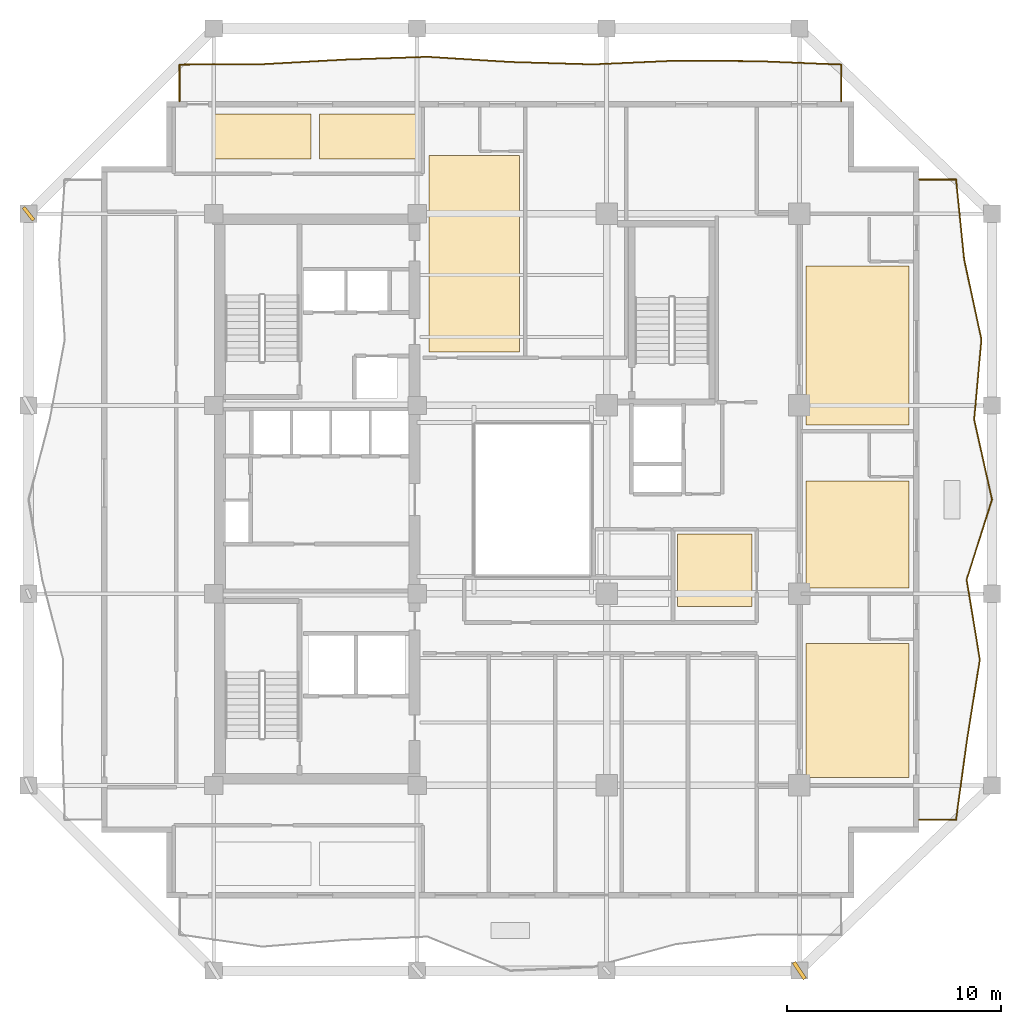
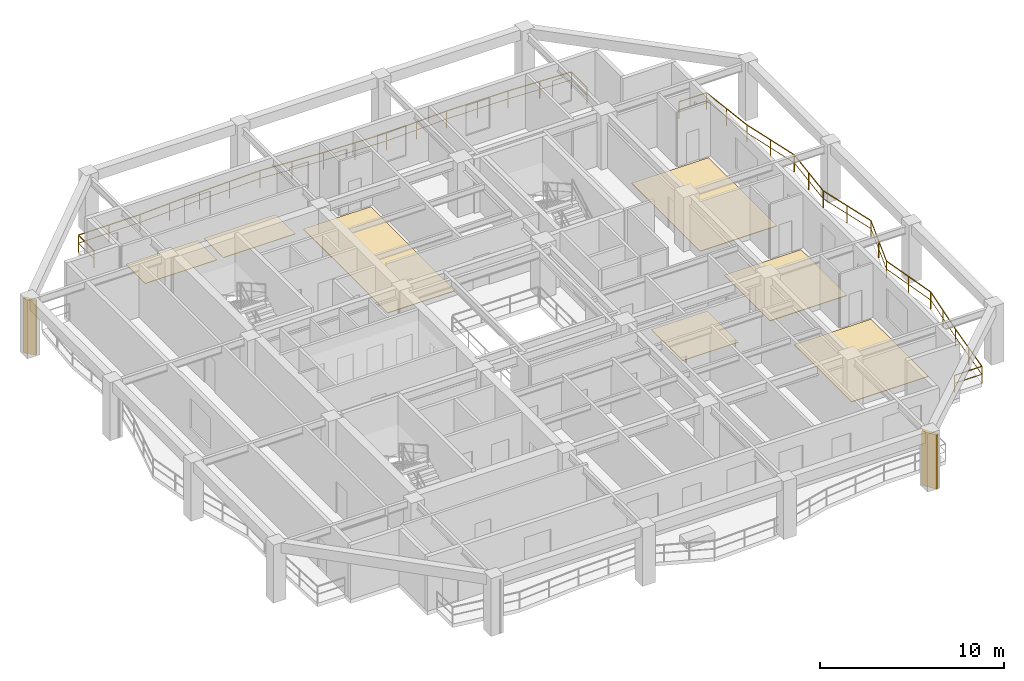
# One storey, part 9 of 10: 7 coverings, 2 railings, 2 shading devices.
"""IFC4 building model written with IfcOpenShell, lengths in metres."""

from ifc_helpers import new_model, si_unit, direction, frame, origin, origin_2d, place, context, subcontext, project, spatial, polyline, rectangle, outline, extrude, material, layer, layer_set, type_object, element, save


model = new_model("IFC4")

# Units and contexts
model_context = context("Model", 3, precision=1e-05, world=origin(), true_north=direction((0.0, 1.0)))
body_context = subcontext(model_context, "Body", "Model", "MODEL_VIEW")
ifc_project = project(units=[si_unit("LENGTHUNIT", "METRE"), si_unit("AREAUNIT", "SQUARE_METRE"), si_unit("VOLUMEUNIT", "CUBIC_METRE"), si_unit("PLANEANGLEUNIT", "RADIAN"), si_unit("MASSUNIT", "GRAM", prefix="KILO")], contexts=[model_context])

# Site, building, storey
site_placement = place(None, origin())
site = spatial("IfcSite", under=ifc_project, at=site_placement, CompositionType="ELEMENT")
building_placement = place(site_placement, origin())
building = spatial("IfcBuilding", under=site, at=building_placement, Name="Kundavana Baori Tower", CompositionType="ELEMENT")
storey_placement = place(building_placement, frame((0.0, 0.0, 138.64990234375)))
storey = spatial("IfcBuildingStorey", under=building, at=storey_placement, Name="L33", CompositionType="ELEMENT", Elevation=138.64990234375)

# Coverings
ifc_material_1 = material(Name="Honed Kota Stone and Terrazzo Flooring", Category="masonry")
ifc_layer_1 = layer(ifc_material_1, 0.0400390625, Name="COV-FLR-TERR-40")
ifc_layer_set_1 = layer_set([ifc_layer_1], Name="Honed Kota Stone and Terrazzo Flooring")
covering_type_1 = type_object("IfcCoveringType", Name="COV-FLR-TERR-40", PredefinedType="FLOORING", material=ifc_layer_set_1)
covering_1_placement = place(storey_placement, origin())
element("IfcCovering", 1, at=covering_1_placement, inside=storey, type_object=covering_type_1, Name="L33 Room Finished Stone Flooring 1", PredefinedType="FLOORING", context=body_context, shape_type="SweptSolid", body=[
    extrude(outline(polyline([(43.10009765625, 15.6298828125), (47.919921875, 15.6298828125), (47.919921875, 21.8701171875), (43.10009765625, 21.8701171875), (43.10009765625, 15.6298828125)])), origin(), (0.0, 0.0, 1.0), 0.0400390625),
])
covering_2_placement = place(storey_placement, origin())
element("IfcCovering", 2, at=covering_2_placement, inside=storey, type_object=covering_type_1, Name="L33 Room Finished Stone Flooring 2", PredefinedType="FLOORING", context=body_context, shape_type="SweptSolid", body=[
    extrude(outline(polyline([(43.10009765625, 24.47998046875), (47.919921875, 24.47998046875), (47.919921875, 29.469970703125), (43.10009765625, 29.469970703125), (43.10009765625, 24.47998046875)])), origin(), (0.0, 0.0, 1.0), 0.0400390625),
])
covering_3_placement = place(storey_placement, origin())
element("IfcCovering", 3, at=covering_3_placement, inside=storey, type_object=covering_type_1, Name="L33 Room Finished Stone Flooring 3", PredefinedType="FLOORING", context=body_context, shape_type="SweptSolid", body=[
    extrude(outline(polyline([(43.10009765625, 32.080078125), (47.919921875, 32.080078125), (47.919921875, 39.52001953125), (43.10009765625, 39.52001953125), (43.10009765625, 32.080078125)])), origin(), (0.0, 0.0, 1.0), 0.0400390625),
])
covering_4_placement = place(storey_placement, origin())
element("IfcCovering", 4, at=covering_4_placement, inside=storey, type_object=covering_type_1, Name="L33 Room Finished Stone Flooring 4", PredefinedType="FLOORING", context=body_context, shape_type="SweptSolid", body=[
    extrude(outline(polyline([(25.5, 35.5), (29.719970703125, 35.5), (29.719970703125, 44.669921875), (25.5, 44.669921875), (25.5, 35.5)])), origin(), (0.0, 0.0, 1.0), 0.0400390625),
])
ifc_material_2 = material(Name="Honed Kota Stone and Terrazzo Flooring", Category="masonry")
ifc_layer_2 = layer(ifc_material_2, 0.030029296875, Name="COV-INT-FLR")
ifc_layer_set_2 = layer_set([ifc_layer_2], Name="Honed Kota Stone and Terrazzo Flooring")
covering_type_2 = type_object("IfcCoveringType", Name="COV-INT-FLR", PredefinedType="FLOORING", material=ifc_layer_set_2)
covering_5_placement = place(storey_placement, origin())
element("IfcCovering", 5, at=covering_5_placement, inside=storey, type_object=covering_type_2, Name="L33 Room Finished Stone Flooring 7", PredefinedType="FLOORING", context=body_context, shape_type="SweptSolid", body=[
    extrude(outline(polyline([(15.5, 44.5), (20.0, 44.5), (20.0, 46.6201171875), (15.5, 46.6201171875), (15.5, 44.5)])), origin(), (0.0, 0.0, 1.0), 0.030029296875),
])
covering_6_placement = place(storey_placement, origin())
element("IfcCovering", 6, at=covering_6_placement, inside=storey, type_object=covering_type_2, Name="L33 Room Finished Stone Flooring 8", PredefinedType="FLOORING", context=body_context, shape_type="SweptSolid", body=[
    extrude(outline(polyline([(20.39990234375, 44.5), (24.89990234375, 44.5), (24.89990234375, 46.6201171875), (20.39990234375, 46.6201171875), (20.39990234375, 44.5)])), origin(), (0.0, 0.0, 1.0), 0.030029296875),
])
covering_7_placement = place(storey_placement, origin())
element("IfcCovering", 7, at=covering_7_placement, inside=storey, type_object=covering_type_2, Name="L33 Room Finished Stone Flooring 10", PredefinedType="FLOORING", context=body_context, shape_type="SweptSolid", body=[
    extrude(outline(polyline([(37.10009765625, 23.60009765625), (40.60009765625, 23.60009765625), (40.60009765625, 27.0), (37.10009765625, 27.0), (37.10009765625, 23.60009765625)])), origin(), (0.0, 0.0, 1.0), 0.030029296875),
])

# Railings
ifc_material_3 = material(Name="Architectural Patinated Bronze Metalwork")
railing_type = type_object("IfcRailingType", Name="RL-BAL-1150", PredefinedType="BALUSTRADE", material=ifc_material_3)
railing_1_placement = place(storey_placement, frame((48.39990234375, 43.550048828125, 0.0)))
element("IfcRailing", 8, at=railing_1_placement, inside=storey, type_object=railing_type, Name="L33 Loggia Balcony Balustrade E", PredefinedType="BALUSTRADE", context=body_context, shape_type="SweptSolid", body=[
    extrude(rectangle(XDim=0.048095703125, YDim=0.048095703125, at=origin_2d()), frame((0.0, 0.0, 1.1259765625), z_axis=(1.0, 0.0, 0.0), x_axis=(0.0, 1.0, 0.0)), (0.0, 0.0, 1.0), 1.72021484375),
    extrude(rectangle(XDim=0.03125, YDim=0.03125, at=origin_2d()), frame((0.0, 0.0, 0.597900390625), z_axis=(1.0, 0.0, 0.0), x_axis=(0.0, 1.0, 0.0)), (0.0, 0.0, 1.0), 1.72021484375),
    extrude(rectangle(XDim=0.048095703125, YDim=0.048095703125, at=origin_2d()), frame((1.72021484375, 0.0, 1.1259765625), z_axis=(0.101362763311, -0.994849531444, 0.0), x_axis=(0.994849531444, 0.101362763311, 0.0)), (0.0, 0.0, 1.0), 3.75732421875),
    extrude(rectangle(XDim=0.03125, YDim=0.03125, at=origin_2d()), frame((1.72021484375, 0.0, 0.597900390625), z_axis=(0.101362763311, -0.994849531444, 0.0), x_axis=(0.994849531444, 0.101362763311, 0.0)), (0.0, 0.0, 1.0), 3.75732421875),
    extrude(rectangle(XDim=0.048095703125, YDim=0.048095703125, at=origin_2d()), frame((2.10107421875, -3.738037109375, 1.1259765625), z_axis=(0.210806762547, -0.977527753501, 0.0), x_axis=(0.977527753501, 0.210806762547, 0.0)), (0.0, 0.0, 1.0), 3.822998046875),
    extrude(rectangle(XDim=0.03125, YDim=0.03125, at=origin_2d()), frame((2.10107421875, -3.738037109375, 0.597900390625), z_axis=(0.210806762547, -0.977527753501, 0.0), x_axis=(0.977527753501, 0.210806762547, 0.0)), (0.0, 0.0, 1.0), 3.822998046875),
    extrude(rectangle(XDim=0.048095703125, YDim=0.048095703125, at=origin_2d()), frame((2.906982421875, -7.47509765625, 1.1259765625), z_axis=(-0.090541610687, -0.995892673301, 0.0), x_axis=(0.995892673301, -0.090541610687, 0.0)), (0.0, 0.0, 1.0), 3.75341796875),
    extrude(rectangle(XDim=0.03125, YDim=0.03125, at=origin_2d()), frame((2.906982421875, -7.47509765625, 0.597900390625), z_axis=(-0.090541610687, -0.995892673301, 0.0), x_axis=(0.995892673301, -0.090541610687, 0.0)), (0.0, 0.0, 1.0), 3.75341796875),
    extrude(rectangle(XDim=0.048095703125, YDim=0.048095703125, at=origin_2d()), frame((2.567138671875, -11.213134765625, 1.1259765625), z_axis=(0.217578599466, -0.97604280288, 0.0), x_axis=(0.97604280288, 0.217578599466, 0.0)), (0.0, 0.0, 1.0), 3.82861328125),
    extrude(rectangle(XDim=0.03125, YDim=0.03125, at=origin_2d()), frame((2.567138671875, -11.213134765625, 0.597900390625), z_axis=(0.217578599466, -0.97604280288, 0.0), x_axis=(0.97604280288, 0.217578599466, 0.0)), (0.0, 0.0, 1.0), 3.82861328125),
    extrude(rectangle(XDim=0.048095703125, YDim=0.048095703125, at=origin_2d()), frame((3.400146484375, -14.949951171875, 1.1259765625), z_axis=(-0.30197752983, -0.95331504314, 0.0), x_axis=(0.95331504314, -0.30197752983, 0.0)), (0.0, 0.0, 1.0), 3.921142578125),
    extrude(rectangle(XDim=0.03125, YDim=0.03125, at=origin_2d()), frame((3.400146484375, -14.949951171875, 0.597900390625), z_axis=(-0.30197752983, -0.95331504314, 0.0), x_axis=(0.95331504314, -0.30197752983, 0.0)), (0.0, 0.0, 1.0), 3.921142578125),
    extrude(rectangle(XDim=0.048095703125, YDim=0.048095703125, at=origin_2d()), frame((2.216064453125, -18.68798828125, 1.1259765625), z_axis=(0.162883179532, -0.986645361731, 0.0), x_axis=(0.986645361731, 0.162883179532, 0.0)), (0.0, 0.0, 1.0), 3.78759765625),
    extrude(rectangle(XDim=0.03125, YDim=0.03125, at=origin_2d()), frame((2.216064453125, -18.68798828125, 0.597900390625), z_axis=(0.162883179532, -0.986645361731, 0.0), x_axis=(0.986645361731, 0.162883179532, 0.0)), (0.0, 0.0, 1.0), 3.78759765625),
    extrude(rectangle(XDim=0.048095703125, YDim=0.048095703125, at=origin_2d()), frame((2.8330078125, -22.425048828125, 1.1259765625), z_axis=(-0.157942709893, -0.987448277325, 0.0), x_axis=(0.987448277325, -0.157942709893, 0.0)), (0.0, 0.0, 1.0), 3.78564453125),
    extrude(rectangle(XDim=0.03125, YDim=0.03125, at=origin_2d()), frame((2.8330078125, -22.425048828125, 0.597900390625), z_axis=(-0.157942709893, -0.987448277325, 0.0), x_axis=(0.987448277325, -0.157942709893, 0.0)), (0.0, 0.0, 1.0), 3.78564453125),
    extrude(rectangle(XDim=0.048095703125, YDim=0.048095703125, at=origin_2d()), frame((2.235107421875, -26.1630859375, 1.1259765625), z_axis=(-0.136490665829, -0.990641356971, 0.0), x_axis=(0.990641356971, -0.136490665829, 0.0)), (0.0, 0.0, 1.0), 3.7724609375),
    extrude(rectangle(XDim=0.03125, YDim=0.03125, at=origin_2d()), frame((2.235107421875, -26.1630859375, 0.597900390625), z_axis=(-0.136490665829, -0.990641356971, 0.0), x_axis=(0.990641356971, -0.136490665829, 0.0)), (0.0, 0.0, 1.0), 3.7724609375),
    extrude(rectangle(XDim=0.048095703125, YDim=0.048095703125, at=origin_2d()), frame((1.72021484375, -29.900146484375, 1.1259765625), z_axis=(-1.0, 0.0, 0.0), x_axis=(0.0, -1.0, 0.0)), (0.0, 0.0, 1.0), 1.72021484375),
    extrude(rectangle(XDim=0.03125, YDim=0.03125, at=origin_2d()), frame((1.72021484375, -29.900146484375, 0.597900390625), z_axis=(-1.0, 0.0, 0.0), x_axis=(0.0, -1.0, 0.0)), (0.0, 0.0, 1.0), 1.72021484375),
    extrude(rectangle(XDim=0.0419921875, YDim=0.0419921875, at=origin_2d()), origin(), (0.0, 0.0, 1.0), 1.101806640625),
    extrude(rectangle(XDim=0.0419921875, YDim=0.0419921875, at=origin_2d()), frame((1.72021484375, 0.0, 0.0)), (0.0, 0.0, 1.0), 1.101806640625),
    extrude(rectangle(XDim=0.0419921875, YDim=0.0419921875, at=origin_2d()), frame((1.91064453125, -1.869140625, 0.0)), (0.0, 0.0, 1.0), 1.101806640625),
    extrude(rectangle(XDim=0.0419921875, YDim=0.0419921875, at=origin_2d()), frame((2.10107421875, -3.738037109375, 0.0)), (0.0, 0.0, 1.0), 1.101806640625),
    extrude(rectangle(XDim=0.0419921875, YDim=0.0419921875, at=origin_2d()), frame((2.50390625, -5.6064453125, 0.0)), (0.0, 0.0, 1.0), 1.101806640625),
    extrude(rectangle(XDim=0.0419921875, YDim=0.0419921875, at=origin_2d()), frame((2.906982421875, -7.47509765625, 0.0)), (0.0, 0.0, 1.0), 1.101806640625),
    extrude(rectangle(XDim=0.0419921875, YDim=0.0419921875, at=origin_2d()), frame((2.737060546875, -9.34423828125, 0.0)), (0.0, 0.0, 1.0), 1.101806640625),
    extrude(rectangle(XDim=0.0419921875, YDim=0.0419921875, at=origin_2d()), frame((2.567138671875, -11.213134765625, 0.0)), (0.0, 0.0, 1.0), 1.101806640625),
    extrude(rectangle(XDim=0.0419921875, YDim=0.0419921875, at=origin_2d()), frame((2.983642578125, -13.08154296875, 0.0)), (0.0, 0.0, 1.0), 1.101806640625),
    extrude(rectangle(XDim=0.0419921875, YDim=0.0419921875, at=origin_2d()), frame((3.400146484375, -14.949951171875, 0.0)), (0.0, 0.0, 1.0), 1.101806640625),
    extrude(rectangle(XDim=0.0419921875, YDim=0.0419921875, at=origin_2d()), frame((2.80810546875, -16.81884765625, 0.0)), (0.0, 0.0, 1.0), 1.101806640625),
    extrude(rectangle(XDim=0.0419921875, YDim=0.0419921875, at=origin_2d()), frame((2.216064453125, -18.68798828125, 0.0)), (0.0, 0.0, 1.0), 1.101806640625),
    extrude(rectangle(XDim=0.0419921875, YDim=0.0419921875, at=origin_2d()), frame((2.5244140625, -20.556640625, 0.0)), (0.0, 0.0, 1.0), 1.101806640625),
    extrude(rectangle(XDim=0.0419921875, YDim=0.0419921875, at=origin_2d()), frame((2.8330078125, -22.425048828125, 0.0)), (0.0, 0.0, 1.0), 1.101806640625),
    extrude(rectangle(XDim=0.0419921875, YDim=0.0419921875, at=origin_2d()), frame((2.5341796875, -24.2939453125, 0.0)), (0.0, 0.0, 1.0), 1.101806640625),
    extrude(rectangle(XDim=0.0419921875, YDim=0.0419921875, at=origin_2d()), frame((2.235107421875, -26.1630859375, 0.0)), (0.0, 0.0, 1.0), 1.101806640625),
    extrude(rectangle(XDim=0.0419921875, YDim=0.0419921875, at=origin_2d()), frame((1.9775390625, -28.03173828125, 0.0)), (0.0, 0.0, 1.0), 1.101806640625),
    extrude(rectangle(XDim=0.0419921875, YDim=0.0419921875, at=origin_2d()), frame((1.72021484375, -29.900146484375, 0.0)), (0.0, 0.0, 1.0), 1.101806640625),
    extrude(rectangle(XDim=0.0419921875, YDim=0.0419921875, at=origin_2d()), frame((0.0, -29.900146484375, 0.0)), (0.0, 0.0, 1.0), 1.101806640625),
])
railing_2_placement = place(storey_placement, frame((13.85009765625, 47.199951171875, 0.0)))
element("IfcRailing", 9, at=railing_2_placement, inside=storey, type_object=railing_type, Name="L33 Loggia Balcony Balustrade N", PredefinedType="BALUSTRADE", context=body_context, shape_type="SweptSolid", body=[
    extrude(rectangle(XDim=0.048095703125, YDim=0.048095703125, at=origin_2d()), frame((0.0, 0.0, 1.1259765625), z_axis=(0.0, 1.0, 0.0), x_axis=(-1.0, 0.0, 0.0)), (0.0, 0.0, 1.0), 1.719970703125),
    extrude(rectangle(XDim=0.03125, YDim=0.03125, at=origin_2d()), frame((0.0, 0.0, 0.597900390625), z_axis=(0.0, 1.0, 0.0), x_axis=(-1.0, 0.0, 0.0)), (0.0, 0.0, 1.0), 1.719970703125),
    extrude(rectangle(XDim=0.048095703125, YDim=0.048095703125, at=origin_2d()), frame((0.0, 1.719970703125, 1.1259765625), z_axis=(0.999987842392, 0.004931031212, 0.0), x_axis=(-0.004931031212, 0.999987842392, 0.0)), (0.0, 0.0, 1.0), 3.86181640625),
    extrude(rectangle(XDim=0.03125, YDim=0.03125, at=origin_2d()), frame((0.0, 1.719970703125, 0.597900390625), z_axis=(0.999987842392, 0.004931031212, 0.0), x_axis=(-0.004931031212, 0.999987842392, 0.0)), (0.0, 0.0, 1.0), 3.86181640625),
    extrude(rectangle(XDim=0.048095703125, YDim=0.048095703125, at=origin_2d()), frame((3.86181640625, 1.739013671875, 1.1259765625), z_axis=(0.998467528785, 0.055340708004, 0.0), x_axis=(-0.055340708004, 0.998467528785, 0.0)), (0.0, 0.0, 1.0), 3.868896484375),
    extrude(rectangle(XDim=0.03125, YDim=0.03125, at=origin_2d()), frame((3.86181640625, 1.739013671875, 0.597900390625), z_axis=(0.998467528785, 0.055340708004, 0.0), x_axis=(-0.055340708004, 0.998467528785, 0.0)), (0.0, 0.0, 1.0), 3.868896484375),
    extrude(rectangle(XDim=0.048095703125, YDim=0.048095703125, at=origin_2d()), frame((7.724853515625, 1.953125, 1.1259765625), z_axis=(0.999435261238, 0.033602955127, 0.0), x_axis=(-0.033602955127, 0.999435261238, 0.0)), (0.0, 0.0, 1.0), 3.865234375),
    extrude(rectangle(XDim=0.03125, YDim=0.03125, at=origin_2d()), frame((7.724853515625, 1.953125, 0.597900390625), z_axis=(0.999435261238, 0.033602955127, 0.0), x_axis=(-0.033602955127, 0.999435261238, 0.0)), (0.0, 0.0, 1.0), 3.865234375),
    extrude(rectangle(XDim=0.048095703125, YDim=0.048095703125, at=origin_2d()), frame((11.587890625, 2.0830078125, 1.1259765625), z_axis=(0.998090445821, -0.061769425783, 0.0), x_axis=(0.061769425783, 0.998090445821, 0.0)), (0.0, 0.0, 1.0), 3.869384765625),
    extrude(rectangle(XDim=0.03125, YDim=0.03125, at=origin_2d()), frame((11.587890625, 2.0830078125, 0.597900390625), z_axis=(0.998090445821, -0.061769425783, 0.0), x_axis=(0.061769425783, 0.998090445821, 0.0)), (0.0, 0.0, 1.0), 3.869384765625),
    extrude(rectangle(XDim=0.048095703125, YDim=0.048095703125, at=origin_2d()), frame((15.449951171875, 1.843994140625, 1.1259765625), z_axis=(0.999564746277, -0.029501152532, 0.0), x_axis=(0.029501152532, 0.999564746277, 0.0)), (0.0, 0.0, 1.0), 3.86474609375),
    extrude(rectangle(XDim=0.03125, YDim=0.03125, at=origin_2d()), frame((15.449951171875, 1.843994140625, 0.597900390625), z_axis=(0.999564746277, -0.029501152532, 0.0), x_axis=(0.029501152532, 0.999564746277, 0.0)), (0.0, 0.0, 1.0), 3.86474609375),
    extrude(rectangle(XDim=0.048095703125, YDim=0.048095703125, at=origin_2d()), frame((19.31298828125, 1.72998046875, 1.1259765625), z_axis=(0.998985657213, 0.045029509015, 0.0), x_axis=(-0.045029509015, 0.998985657213, 0.0)), (0.0, 0.0, 1.0), 3.86572265625),
    extrude(rectangle(XDim=0.03125, YDim=0.03125, at=origin_2d()), frame((19.31298828125, 1.72998046875, 0.597900390625), z_axis=(0.998985657213, 0.045029509015, 0.0), x_axis=(-0.045029509015, 0.998985657213, 0.0)), (0.0, 0.0, 1.0), 3.86572265625),
    extrude(rectangle(XDim=0.048095703125, YDim=0.048095703125, at=origin_2d()), frame((23.1748046875, 1.904052734375, 1.1259765625), z_axis=(0.999980811033, -0.006194962986, 0.0), x_axis=(0.006194962986, 0.999980811033, 0.0)), (0.0, 0.0, 1.0), 3.862060546875),
    extrude(rectangle(XDim=0.03125, YDim=0.03125, at=origin_2d()), frame((23.1748046875, 1.904052734375, 0.597900390625), z_axis=(0.999980811033, -0.006194962986, 0.0), x_axis=(0.006194962986, 0.999980811033, 0.0)), (0.0, 0.0, 1.0), 3.862060546875),
    extrude(rectangle(XDim=0.048095703125, YDim=0.048095703125, at=origin_2d()), frame((27.036865234375, 1.880126953125, 1.1259765625), z_axis=(0.999141697036, -0.041423052092, 0.0), x_axis=(0.041423052092, 0.999141697036, 0.0)), (0.0, 0.0, 1.0), 3.866455078125),
    extrude(rectangle(XDim=0.03125, YDim=0.03125, at=origin_2d()), frame((27.036865234375, 1.880126953125, 0.597900390625), z_axis=(0.999141697036, -0.041423052092, 0.0), x_axis=(0.041423052092, 0.999141697036, 0.0)), (0.0, 0.0, 1.0), 3.866455078125),
    extrude(rectangle(XDim=0.048095703125, YDim=0.048095703125, at=origin_2d()), frame((30.89990234375, 1.719970703125, 1.1259765625), z_axis=(0.0, -1.0, 0.0), x_axis=(1.0, 0.0, 0.0)), (0.0, 0.0, 1.0), 1.719970703125),
    extrude(rectangle(XDim=0.03125, YDim=0.03125, at=origin_2d()), frame((30.89990234375, 1.719970703125, 0.597900390625), z_axis=(0.0, -1.0, 0.0), x_axis=(1.0, 0.0, 0.0)), (0.0, 0.0, 1.0), 1.719970703125),
    extrude(rectangle(XDim=0.0419921875, YDim=0.0419921875, at=origin_2d()), origin(), (0.0, 0.0, 1.0), 1.101806640625),
    extrude(rectangle(XDim=0.0419921875, YDim=0.0419921875, at=origin_2d()), frame((0.0, 1.719970703125, 0.0)), (0.0, 0.0, 1.0), 1.101806640625),
    extrude(rectangle(XDim=0.0419921875, YDim=0.0419921875, at=origin_2d()), frame((1.930908203125, 1.7294921875, 0.0)), (0.0, 0.0, 1.0), 1.101806640625),
    extrude(rectangle(XDim=0.0419921875, YDim=0.0419921875, at=origin_2d()), frame((3.86181640625, 1.739013671875, 0.0)), (0.0, 0.0, 1.0), 1.101806640625),
    extrude(rectangle(XDim=0.0419921875, YDim=0.0419921875, at=origin_2d()), frame((5.79345703125, 1.84619140625, 0.0)), (0.0, 0.0, 1.0), 1.101806640625),
    extrude(rectangle(XDim=0.0419921875, YDim=0.0419921875, at=origin_2d()), frame((7.724853515625, 1.953125, 0.0)), (0.0, 0.0, 1.0), 1.101806640625),
    extrude(rectangle(XDim=0.0419921875, YDim=0.0419921875, at=origin_2d()), frame((9.65625, 2.01806640625, 0.0)), (0.0, 0.0, 1.0), 1.101806640625),
    extrude(rectangle(XDim=0.0419921875, YDim=0.0419921875, at=origin_2d()), frame((11.587890625, 2.0830078125, 0.0)), (0.0, 0.0, 1.0), 1.101806640625),
    extrude(rectangle(XDim=0.0419921875, YDim=0.0419921875, at=origin_2d()), frame((13.51904296875, 1.96337890625, 0.0)), (0.0, 0.0, 1.0), 1.101806640625),
    extrude(rectangle(XDim=0.0419921875, YDim=0.0419921875, at=origin_2d()), frame((15.449951171875, 1.843994140625, 0.0)), (0.0, 0.0, 1.0), 1.101806640625),
    extrude(rectangle(XDim=0.0419921875, YDim=0.0419921875, at=origin_2d()), frame((17.38134765625, 1.787109375, 0.0)), (0.0, 0.0, 1.0), 1.101806640625),
    extrude(rectangle(XDim=0.0419921875, YDim=0.0419921875, at=origin_2d()), frame((19.31298828125, 1.72998046875, 0.0)), (0.0, 0.0, 1.0), 1.101806640625),
    extrude(rectangle(XDim=0.0419921875, YDim=0.0419921875, at=origin_2d()), frame((21.243896484375, 1.81689453125, 0.0)), (0.0, 0.0, 1.0), 1.101806640625),
    extrude(rectangle(XDim=0.0419921875, YDim=0.0419921875, at=origin_2d()), frame((23.1748046875, 1.904052734375, 0.0)), (0.0, 0.0, 1.0), 1.101806640625),
    extrude(rectangle(XDim=0.0419921875, YDim=0.0419921875, at=origin_2d()), frame((25.10595703125, 1.89208984375, 0.0)), (0.0, 0.0, 1.0), 1.101806640625),
    extrude(rectangle(XDim=0.0419921875, YDim=0.0419921875, at=origin_2d()), frame((27.036865234375, 1.880126953125, 0.0)), (0.0, 0.0, 1.0), 1.101806640625),
    extrude(rectangle(XDim=0.0419921875, YDim=0.0419921875, at=origin_2d()), frame((28.96826171875, 1.800048828125, 0.0)), (0.0, 0.0, 1.0), 1.101806640625),
    extrude(rectangle(XDim=0.0419921875, YDim=0.0419921875, at=origin_2d()), frame((30.89990234375, 1.719970703125, 0.0)), (0.0, 0.0, 1.0), 1.101806640625),
    extrude(rectangle(XDim=0.0419921875, YDim=0.0419921875, at=origin_2d()), frame((30.89990234375, 0.0, 0.0)), (0.0, 0.0, 1.0), 1.101806640625),
])

# Shading devices
ifc_material_4 = material(Name="Red-Buff Dholpur Sandstone Cladding on Concrete C40/50", Category="masonry")
shading_device_type_1 = type_object("IfcShadingDeviceType", Name="SHD-FIN-750", PredefinedType="JALOUSIE", material=ifc_material_4)
shading_device_1_placement = place(storey_placement, frame((6.800048828125, 41.949951171875, 0.0), z_axis=(0.0, 0.0, 1.0), x_axis=(0.783151105291, 0.621831445234, 0.0)))
element("IfcShadingDevice", 10, at=shading_device_1_placement, inside=storey, type_object=shading_device_type_1, Name="L33 Sweeping Dholpur Sandstone Facade Fin 8", PredefinedType="JALOUSIE", context=body_context, shape_type="SweptSolid", body=[
    extrude(rectangle(XDim=0.159912109375, YDim=0.75, at=origin_2d()), origin(), (0.0, 0.0, 1.0), 3.60009765625),
])
ifc_material_5 = material(Name="Red-Buff Dholpur Sandstone Cladding on Concrete C40/50", Category="masonry")
shading_device_type_2 = type_object("IfcShadingDeviceType", Name="SHD-FIN-920", PredefinedType="JALOUSIE", material=ifc_material_5)
shading_device_2_placement = place(storey_placement, frame((42.800048828125, 6.60009765625, 0.0), z_axis=(0.0, 0.0, 1.0), x_axis=(0.833210881659, 0.552955356864, 0.0)))
element("IfcShadingDevice", 11, at=shading_device_2_placement, inside=storey, type_object=shading_device_type_2, Name="L33 Sweeping Dholpur Sandstone Facade Fin 4", PredefinedType="JALOUSIE", context=body_context, shape_type="SweptSolid", body=[
    extrude(rectangle(XDim=0.179931640625, YDim=0.919921875, at=origin_2d()), origin(), (0.0, 0.0, 1.0), 3.60009765625),
])

save(model, "model.ifc")
